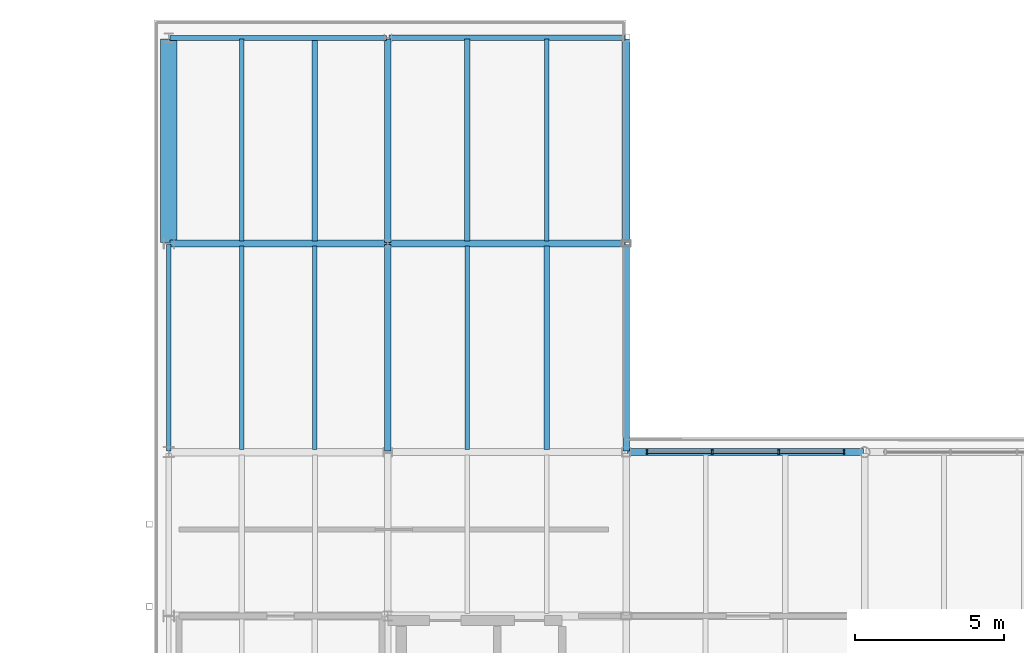
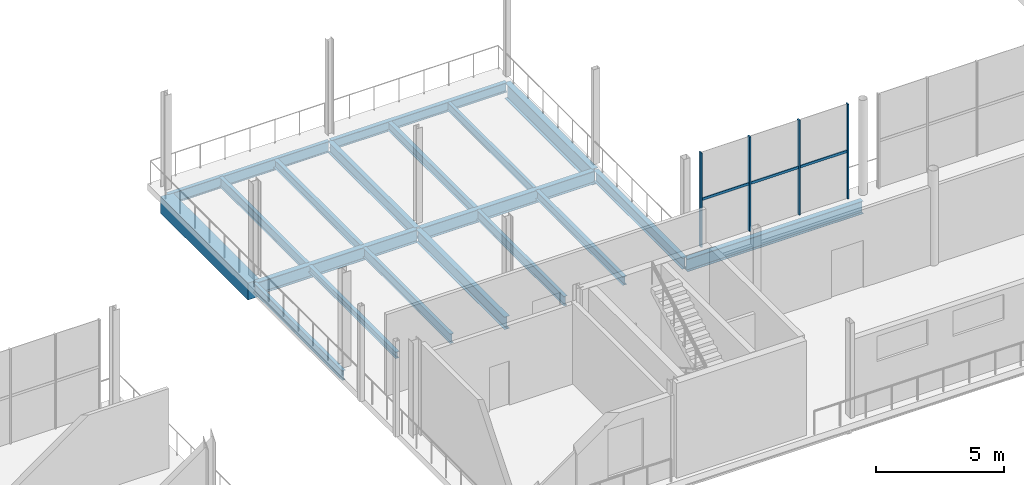
# One storey, part 53 of 93: 19 beams, 7 members, 1 element without a shape of its own.
"""IFC4 building model written with IfcOpenShell, lengths in metres."""

import ifcopenshell
import ifcopenshell.guid

model = None  # the IFC model being written
_history = None  # IfcOwnerHistory: only IFC2X3 demands one
_inside = {}  # id of a spatial element -> (the spatial element, [elements in it])
_under = {}  # id of a project, library or spatial element -> (it, [spatial elements below it])
_declared = {}  # id of a project -> (the project, [libraries it declares])
_typed = {}  # id of a type object -> (the type object, [elements of that type])
_made_of = {}  # id of a material, layer set ... -> (it, [elements and type objects made of it])


def new_model(schema):
    """Start an empty IFC model of exactly this schema.

    Asked for "IFC4X3", IfcOpenShell would pick the latest addendum, in which some entities
    have other attributes; the version numbers below select the first issue.
    IFC2X3 requires an IfcOwnerHistory on every rooted entity: one is made here for all.
    """
    global model, _history
    if schema == "IFC4X3":
        model = ifcopenshell.file(schema_version=(4, 3, 0, 0))
    else:
        model = ifcopenshell.file(schema=schema)
    _inside.clear()
    _under.clear()
    _declared.clear()
    _typed.clear()
    _made_of.clear()
    _history = None
    if model.schema == "IFC2X3":
        org = make("IfcOrganization", Name="unknown")
        user = make(
            "IfcPersonAndOrganization",
            ThePerson=make("IfcPerson", FamilyName="unknown"),
            TheOrganization=org,
        )
        app = make(
            "IfcApplication",
            ApplicationDeveloper=org,
            Version="unknown",
            ApplicationFullName="unknown",
            ApplicationIdentifier="unknown",
        )
        _history = make(
            "IfcOwnerHistory",
            OwningUser=user,
            OwningApplication=app,
            ChangeAction="ADDED",
            CreationDate=0,
        )
    return model


def make(cls, **values):
    """One entity of the class cls with the attributes given. An attribute that is None is left unset."""
    return model.create_entity(
        cls, **{name: value for name, value in values.items() if value is not None}
    )


def rooted(cls, **values):
    """An entity with a GlobalId (a new one), such as an element, a storey or a relation."""
    return make(cls, GlobalId=ifcopenshell.guid.new(), OwnerHistory=_history, **values)


def si_unit(unit_type, name, prefix=None):
    """IfcSIUnit, for example si_unit("LENGTHUNIT", "METRE", prefix="MILLI")."""
    return make("IfcSIUnit", UnitType=unit_type, Prefix=prefix, Name=name)


def assignment(units):
    """IfcUnitAssignment: the units of a project."""
    return None if units is None else make("IfcUnitAssignment", Units=units)


def point(xyz):
    """IfcCartesianPoint."""
    return None if xyz is None else make("IfcCartesianPoint", Coordinates=xyz)


def direction(xyz):
    """IfcDirection."""
    return None if xyz is None else make("IfcDirection", DirectionRatios=xyz)


def frame(location, z_axis=None, x_axis=None):
    """IfcAxis2Placement3D, a coordinate frame: its origin and axes. An axis left out is left unset."""
    return make(
        "IfcAxis2Placement3D",
        Location=point(location),
        Axis=direction(z_axis),
        RefDirection=direction(x_axis),
    )


def frame_2d(location, x_axis=None):
    """IfcAxis2Placement2D, a coordinate frame in the plane: its origin and x axis."""
    return make(
        "IfcAxis2Placement2D", Location=point(location), RefDirection=direction(x_axis)
    )


def origin():
    """The frame at (0, 0, 0) with its axes left unset."""
    return frame((0.0, 0.0, 0.0))


def origin_2d():
    """The frame at (0, 0) in the plane with its x axis left unset."""
    return frame_2d((0.0, 0.0))


def place(relative_to, where):
    """IfcLocalPlacement: puts the frame where relative to a parent placement (None: the world)."""
    return make(
        "IfcLocalPlacement", PlacementRelTo=relative_to, RelativePlacement=where
    )


def context(
    kind, dimensions, precision=None, world=None, true_north=None, identifier=None
):
    """IfcGeometricRepresentationContext, for example the 3D "Model" context."""
    return make(
        "IfcGeometricRepresentationContext",
        ContextIdentifier=identifier,
        ContextType=kind,
        CoordinateSpaceDimension=dimensions,
        Precision=precision,
        WorldCoordinateSystem=world,
        TrueNorth=true_north,
    )


def subcontext(parent, identifier, kind, view, scale=None):
    """IfcGeometricRepresentationSubContext, for example "Body" below "Model"."""
    return make(
        "IfcGeometricRepresentationSubContext",
        ContextIdentifier=identifier,
        ContextType=kind,
        ParentContext=parent,
        TargetScale=scale,
        TargetView=view,
    )


def project(units=None, contexts=None):
    """IfcProject with its units and contexts."""
    return rooted(
        "IfcProject",
        Name="project",
        RepresentationContexts=contexts,
        UnitsInContext=assignment(units),
    )


def spatial(cls, under=None, at=None, **own):
    """A site, building, storey or space (cls), placed at a placement, below another one or the project."""
    s = rooted(cls, ObjectPlacement=at, **own)
    if under is not None:
        _under.setdefault(under.id(), (under, []))[1].append(s)
    return s


def profile(cls, at=None, kind="AREA", **sizes):
    """A parametric profile (cls). Its sizes go by their IFC names, for example OverallWidth=200.0."""
    return make(cls, ProfileType=kind, Position=at, **sizes)


def rectangle(**sizes):
    """IfcRectangleProfileDef."""
    return profile("IfcRectangleProfileDef", **sizes)


def i_section(**sizes):
    """IfcIShapeProfileDef."""
    return profile("IfcIShapeProfileDef", **sizes)


def extrude(swept, where, along, depth):
    """IfcExtrudedAreaSolid: the profile swept, set in the frame where, extruded along a direction by depth."""
    return make(
        "IfcExtrudedAreaSolid",
        SweptArea=swept,
        Position=where,
        ExtrudedDirection=direction(along),
        Depth=depth,
    )


def shape(context_of_items, identifier, shape_type, items):
    """IfcShapeRepresentation: the items that make up one representation, for example the "Body"."""
    return make(
        "IfcShapeRepresentation",
        ContextOfItems=context_of_items,
        RepresentationIdentifier=identifier,
        RepresentationType=shape_type,
        Items=items,
    )


def material(Name=None, Category=None):
    """IfcMaterial."""
    return make("IfcMaterial", Name=Name, Category=Category)


def material_profile(
    of_material, cross_section, Name=None, Category=None, Priority=None
):
    """IfcMaterialProfile: a cross section and its material."""
    return make(
        "IfcMaterialProfile",
        Name=Name,
        Material=of_material,
        Profile=cross_section,
        Priority=Priority,
        Category=Category,
    )


def profile_set(profiles, Name=None, composite=None):
    """IfcMaterialProfileSet."""
    return make(
        "IfcMaterialProfileSet",
        Name=Name,
        MaterialProfiles=profiles,
        CompositeProfile=composite,
    )


def made_of(thing, what):
    """Note that an element or type object is made of a material, layer set ...; save() writes the relation."""
    if what is not None:
        _made_of.setdefault(what.id(), (what, []))[1].append(thing)
    return thing


def type_object(cls, material=None, **own):
    """A type object (cls), such as IfcWallType, which elements share."""
    return made_of(rooted(cls, **own), material)


def element(
    cls,
    number,
    at=None,
    inside=None,
    cuts=None,
    type_object=None,
    material=None,
    context=None,
    identifier="Body",
    shape_type=None,
    held_by="IfcProductDefinitionShape",
    body=None,
    shapes=None,
    **own,
):
    """One element of the class cls, such as IfcWall. Its Tag is "e" and its number.

    at: its placement. inside: the storey or other place that contains it. cuts: it is an
    opening in that element (IfcRelVoidsElement). A single representation is given by context,
    identifier, shape_type and body (its items); several are given by shapes. held_by: the class
    of the entity that holds the representations. save() writes the other relations.
    """
    e = rooted(cls, Tag="e%d" % number, ObjectPlacement=at, **own)
    if body is not None:
        shapes = [shape(context, identifier, shape_type, body)]
    if shapes is not None:
        e.Representation = make(held_by, Representations=shapes)
    if inside is not None:
        _inside.setdefault(inside.id(), (inside, []))[1].append(e)
    if cuts is not None:
        rooted(
            "IfcRelVoidsElement", RelatingBuildingElement=cuts, RelatedOpeningElement=e
        )
    if type_object is not None:
        _typed.setdefault(type_object.id(), (type_object, []))[1].append(e)
    return made_of(e, material)


def aggregate(whole, parts):
    """IfcRelAggregates: a whole, such as a stair, and the parts it consists of."""
    return rooted("IfcRelAggregates", RelatingObject=whole, RelatedObjects=parts)


def save(model, path):
    """Write the relations noted so far, then the file.

    IfcRelAggregates (storeys below a building ...), IfcRelContainedInSpatialStructure (elements
    in a storey), IfcRelDefinesByType, IfcRelAssociatesMaterial and IfcRelDeclares: one each for
    every whole, place, type object, material and project.
    """
    for whole, parts in _under.values():
        aggregate(whole, parts)
    for where, things in _inside.values():
        rooted(
            "IfcRelContainedInSpatialStructure",
            RelatedElements=things,
            RelatingStructure=where,
        )
    for kind, things in _typed.values():
        rooted("IfcRelDefinesByType", RelatedObjects=things, RelatingType=kind)
    for what, things in _made_of.values():
        rooted("IfcRelAssociatesMaterial", RelatedObjects=things, RelatingMaterial=what)
    for by, libraries in _declared.values():
        rooted("IfcRelDeclares", RelatingContext=by, RelatedDefinitions=libraries)
    model.write(path)


model = new_model("IFC4")

# Units and contexts
model_context = context("Model", 3, precision=1e-05, world=origin(), true_north=direction((0.0, 1.0)))
body_context = subcontext(model_context, "Body", "Model", "MODEL_VIEW")
ifc_project = project(units=[si_unit("LENGTHUNIT", "METRE"), si_unit("AREAUNIT", "SQUARE_METRE"), si_unit("VOLUMEUNIT", "CUBIC_METRE"), si_unit("PLANEANGLEUNIT", "RADIAN"), si_unit("MASSUNIT", "GRAM", prefix="KILO")], contexts=[model_context])

# Site, building, storey
site_placement = place(None, origin())
site = spatial("IfcSite", under=ifc_project, at=site_placement, CompositionType="ELEMENT")
building_placement = place(site_placement, origin())
building = spatial("IfcBuilding", under=site, at=building_placement, Name="Brisemont Oceanarium", CompositionType="ELEMENT")
storey_placement = place(building_placement, frame((0.0, 0.0, 5.39990234375)))
storey = spatial("IfcBuildingStorey", under=building, at=storey_placement, Name="L01", CompositionType="ELEMENT", Elevation=5.39990234375)

# Beams
ifc_material_1 = material(Name="Concrete C40/50", Category="concrete")
ifc_material_profile_1 = material_profile(ifc_material_1, rectangle(XDim=0.550048828125, YDim=0.800048828125, at=origin_2d()), Name="RC-BM-550X800")
ifc_profile_set_1 = profile_set([ifc_material_profile_1], Name="Concrete C40/50")
beam_type_1 = type_object("IfcBeamType", Name="BM-RC550X800", PredefinedType="SPANDREL", material=ifc_profile_set_1)
beam_1_placement = place(storey_placement, frame((112.64990234375, 100.5400390625, -0.699951171875), z_axis=(0.0, 1.0, 0.0), x_axis=(-1.0, 0.0, 0.0)))
element("IfcBeam", 1, at=beam_1_placement, inside=storey, type_object=beam_type_1, Name="V6 L01 NS girder", PredefinedType="SPANDREL", context=body_context, shape_type="SweptSolid", body=[
    extrude(rectangle(XDim=0.550048828125, YDim=0.800048828125, at=origin_2d()), origin(), (0.0, 0.0, 1.0), 6.820068359375),
])
ifc_material_2 = material(Name="Structural Steel ASTM A992 Gr.50", Category="steel")
ifc_material_profile_2 = material_profile(ifc_material_2, i_section(OverallWidth=0.1650390625, OverallDepth=0.31005859375, WebThickness=0.005859375, FlangeThickness=0.009765625, FilletRadius=0.008056640625, at=origin_2d()), Name="W12X26")
ifc_profile_set_2 = profile_set([ifc_material_profile_2], Name="Structural Steel ASTM A992 Gr.50")
beam_type_2 = type_object("IfcBeamType", Name="BM-W12X26", PredefinedType="JOIST", material=ifc_profile_set_2)
beam_2_placement = place(storey_placement, frame((115.10009765625, 93.590087890625, -0.454833984375), z_axis=(0.0, 1.0, 0.0), x_axis=(-1.0, 0.0, 0.0)))
element("IfcBeam", 2, at=beam_2_placement, inside=storey, type_object=beam_type_2, Name="V6 L01 secondary floor beam", PredefinedType="JOIST", context=body_context, shape_type="SweptSolid", body=[
    extrude(i_section(OverallWidth=0.1650390625, OverallDepth=0.31005859375, WebThickness=0.005859375, FlangeThickness=0.009765625, FilletRadius=0.008056640625, at=origin_2d()), origin(), (0.0, 0.0, 1.0), 6.81982421875),
])
ifc_material_3 = material(Name="Structural Steel ASTM A992 Gr.50", Category="steel")
ifc_material_profile_3 = material_profile(ifc_material_3, i_section(OverallWidth=0.139892578125, OverallDepth=0.39892578125, WebThickness=0.00634765625, FlangeThickness=0.0087890625, FilletRadius=0.010009765625, at=origin_2d()), Name="W16X26")
ifc_profile_set_3 = profile_set([ifc_material_profile_3], Name="Structural Steel ASTM A992 Gr.50")
beam_type_3 = type_object("IfcBeamType", Name="BM-W16X26", PredefinedType="JOIST", material=ifc_profile_set_3)
beam_3_placement = place(storey_placement, frame((125.333251953125, 100.590087890625, -0.49951171875), z_axis=(0.0, 1.0, 0.0), x_axis=(-1.0, 0.0, 0.0)))
element("IfcBeam", 3, at=beam_3_placement, inside=storey, type_object=beam_type_3, Name="V6 L01 secondary floor beam", PredefinedType="JOIST", context=body_context, shape_type="SweptSolid", body=[
    extrude(i_section(OverallWidth=0.139892578125, OverallDepth=0.39892578125, WebThickness=0.00634765625, FlangeThickness=0.0087890625, FilletRadius=0.010009765625, at=origin_2d()), origin(), (0.0, 0.0, 1.0), 6.77001953125),
])
ifc_material_4 = material(Name="Structural Steel ASTM A992 Gr.50", Category="steel")
ifc_material_profile_4 = material_profile(ifc_material_4, i_section(OverallWidth=0.177978515625, OverallDepth=0.404052734375, WebThickness=0.007568359375, FlangeThickness=0.010986328125, FilletRadius=0.010009765625, at=origin_2d()), Name="W16X36")
ifc_profile_set_4 = profile_set([ifc_material_profile_4], Name="Structural Steel ASTM A992 Gr.50")
beam_type_4 = type_object("IfcBeamType", Name="BM-W16X36", PredefinedType="JOIST", material=ifc_profile_set_4)
beam_4_placement = place(storey_placement, frame((117.550048828125, 100.590087890625, -0.501953125), z_axis=(0.0, 1.0, 0.0), x_axis=(-1.0, 0.0, 0.0)))
element("IfcBeam", 4, at=beam_4_placement, inside=storey, type_object=beam_type_4, Name="V6 L01 secondary floor beam", PredefinedType="JOIST", context=body_context, shape_type="SweptSolid", body=[
    extrude(i_section(OverallWidth=0.177978515625, OverallDepth=0.404052734375, WebThickness=0.007568359375, FlangeThickness=0.010986328125, FilletRadius=0.010009765625, at=origin_2d()), origin(), (0.0, 0.0, 1.0), 6.77001953125),
])
beam_5_placement = place(storey_placement, frame((125.333251953125, 93.590087890625, -0.501953125), z_axis=(0.0, 1.0, 0.0), x_axis=(-1.0, 0.0, 0.0)))
element("IfcBeam", 5, at=beam_5_placement, inside=storey, type_object=beam_type_4, Name="V6 L01 secondary floor beam", PredefinedType="JOIST", context=body_context, shape_type="SweptSolid", body=[
    extrude(i_section(OverallWidth=0.177978515625, OverallDepth=0.404052734375, WebThickness=0.007568359375, FlangeThickness=0.010986328125, FilletRadius=0.010009765625, at=origin_2d()), origin(), (0.0, 0.0, 1.0), 6.81982421875),
])
beam_6_placement = place(storey_placement, frame((122.666748046875, 100.590087890625, -0.501953125), z_axis=(0.0, 1.0, 0.0), x_axis=(-1.0, 0.0, 0.0)))
element("IfcBeam", 6, at=beam_6_placement, inside=storey, type_object=beam_type_4, Name="V6 L01 secondary floor beam", PredefinedType="JOIST", context=body_context, shape_type="SweptSolid", body=[
    extrude(i_section(OverallWidth=0.177978515625, OverallDepth=0.404052734375, WebThickness=0.007568359375, FlangeThickness=0.010986328125, FilletRadius=0.010009765625, at=origin_2d()), origin(), (0.0, 0.0, 1.0), 6.77001953125),
])
ifc_material_5 = material(Name="Structural Steel ASTM A992 Gr.50", Category="steel")
ifc_material_profile_5 = material_profile(ifc_material_5, i_section(OverallWidth=0.153076171875, OverallDepth=0.455078125, WebThickness=0.008056640625, FlangeThickness=0.01318359375, FilletRadius=0.010986328125, at=origin_2d()), Name="W18X40")
ifc_profile_set_5 = profile_set([ifc_material_profile_5], Name="Structural Steel ASTM A992 Gr.50")
beam_type_5 = type_object("IfcBeamType", Name="BM-W18X40", PredefinedType="JOIST", material=ifc_profile_set_5)
beam_7_placement = place(storey_placement, frame((117.550048828125, 93.590087890625, -0.52734375), z_axis=(0.0, 1.0, 0.0), x_axis=(-1.0, 0.0, 0.0)))
element("IfcBeam", 7, at=beam_7_placement, inside=storey, type_object=beam_type_5, Name="V6 L01 secondary floor beam", PredefinedType="JOIST", context=body_context, shape_type="SweptSolid", body=[
    extrude(i_section(OverallWidth=0.153076171875, OverallDepth=0.455078125, WebThickness=0.008056640625, FlangeThickness=0.01318359375, FilletRadius=0.010986328125, at=origin_2d()), origin(), (0.0, 0.0, 1.0), 6.81982421875),
])
beam_8_placement = place(storey_placement, frame((115.10009765625, 100.590087890625, -0.52734375), z_axis=(0.0, 1.0, 0.0), x_axis=(-1.0, 0.0, 0.0)))
element("IfcBeam", 8, at=beam_8_placement, inside=storey, type_object=beam_type_5, Name="V6 L01 secondary floor beam", PredefinedType="JOIST", context=body_context, shape_type="SweptSolid", body=[
    extrude(i_section(OverallWidth=0.153076171875, OverallDepth=0.455078125, WebThickness=0.008056640625, FlangeThickness=0.01318359375, FilletRadius=0.010986328125, at=origin_2d()), origin(), (0.0, 0.0, 1.0), 6.77001953125),
])
beam_9_placement = place(storey_placement, frame((122.666748046875, 93.590087890625, -0.52734375), z_axis=(0.0, 1.0, 0.0), x_axis=(-1.0, 0.0, 0.0)))
element("IfcBeam", 9, at=beam_9_placement, inside=storey, type_object=beam_type_5, Name="V6 L01 secondary floor beam", PredefinedType="JOIST", context=body_context, shape_type="SweptSolid", body=[
    extrude(i_section(OverallWidth=0.153076171875, OverallDepth=0.455078125, WebThickness=0.008056640625, FlangeThickness=0.01318359375, FilletRadius=0.010986328125, at=origin_2d()), origin(), (0.0, 0.0, 1.0), 6.81982421875),
])
ifc_material_6 = material(Name="Structural Steel ASTM A992 Gr.50", Category="steel")
ifc_material_profile_6 = material_profile(ifc_material_6, i_section(OverallWidth=0.154052734375, OverallDepth=0.458984375, WebThickness=0.009033203125, FlangeThickness=0.015380859375, FilletRadius=0.010986328125, at=origin_2d()), Name="W18X46")
ifc_profile_set_6 = profile_set([ifc_material_profile_6], Name="Structural Steel ASTM A992 Gr.50")
beam_type_6 = type_object("IfcBeamType", Name="BM-W18X46", PredefinedType="SPANDREL", material=ifc_profile_set_6)
beam_10_placement = place(storey_placement, frame((112.64990234375, 93.5400390625, -0.529296875), z_axis=(0.0, 1.0, 0.0), x_axis=(-1.0, 0.0, 0.0)))
element("IfcBeam", 10, at=beam_10_placement, inside=storey, type_object=beam_type_6, Name="V6 L01 NS girder", PredefinedType="SPANDREL", context=body_context, shape_type="SweptSolid", body=[
    extrude(i_section(OverallWidth=0.154052734375, OverallDepth=0.458984375, WebThickness=0.009033203125, FlangeThickness=0.015380859375, FilletRadius=0.010986328125, at=origin_2d()), origin(), (0.0, 0.0, 1.0), 6.919921875),
])
ifc_material_7 = material(Name="Structural Steel ASTM A992 Gr.50", Category="steel")
ifc_material_profile_7 = material_profile(ifc_material_7, i_section(OverallWidth=0.19091796875, OverallDepth=0.4599609375, WebThickness=0.010009765625, FlangeThickness=0.01611328125, FilletRadius=0.010986328125, at=origin_2d()), Name="W18X55")
ifc_profile_set_7 = profile_set([ifc_material_profile_7], Name="Structural Steel ASTM A992 Gr.50")
beam_type_7 = type_object("IfcBeamType", Name="BM-W18X55", PredefinedType="SPANDREL", material=ifc_profile_set_7)
beam_11_placement = place(storey_placement, frame((120.0400390625, 107.39990234375, -0.52978515625), z_axis=(1.0, 0.0, 0.0), x_axis=(0.0, 1.0, 0.0)))
element("IfcBeam", 11, at=beam_11_placement, inside=storey, type_object=beam_type_7, Name="V6 L01 EW girder", PredefinedType="SPANDREL", context=body_context, shape_type="SweptSolid", body=[
    extrude(i_section(OverallWidth=0.19091796875, OverallDepth=0.4599609375, WebThickness=0.010009765625, FlangeThickness=0.01611328125, FilletRadius=0.010986328125, at=origin_2d()), origin(), (0.0, 0.0, 1.0), 7.919921875),
])
ifc_material_8 = material(Name="Structural Steel ASTM A992 Gr.50", Category="steel")
ifc_material_profile_8 = material_profile(ifc_material_8, i_section(OverallWidth=0.166015625, OverallDepth=0.528076171875, WebThickness=0.009765625, FlangeThickness=0.013671875, FilletRadius=0.012939453125, at=origin_2d()), Name="W21X50")
ifc_profile_set_8 = profile_set([ifc_material_profile_8], Name="Structural Steel ASTM A992 Gr.50")
beam_type_8 = type_object("IfcBeamType", Name="BM-W21X50", PredefinedType="SPANDREL", material=ifc_profile_set_8)
beam_12_placement = place(storey_placement, frame((112.68994140625, 107.39990234375, -0.56396484375), z_axis=(1.0, 0.0, 0.0), x_axis=(0.0, 1.0, 0.0)))
element("IfcBeam", 12, at=beam_12_placement, inside=storey, type_object=beam_type_8, Name="V6 L01 EW girder", PredefinedType="SPANDREL", context=body_context, shape_type="SweptSolid", body=[
    extrude(i_section(OverallWidth=0.166015625, OverallDepth=0.528076171875, WebThickness=0.009765625, FlangeThickness=0.013671875, FilletRadius=0.012939453125, at=origin_2d()), origin(), (0.0, 0.0, 1.0), 7.27001953125),
])
ifc_material_9 = material(Name="Structural Steel ASTM A992 Gr.50", Category="steel")
ifc_material_profile_9 = material_profile(ifc_material_9, i_section(OverallWidth=0.2099609375, OverallDepth=0.532958984375, WebThickness=0.01025390625, FlangeThickness=0.015625, FilletRadius=0.012939453125, at=origin_2d()), Name="W21X62")
ifc_profile_set_9 = profile_set([ifc_material_profile_9], Name="Structural Steel ASTM A992 Gr.50")
beam_type_9 = type_object("IfcBeamType", Name="BM-W21X62", PredefinedType="BEAM", material=ifc_profile_set_9)
beam_13_placement = place(storey_placement, frame((120.0, 100.5400390625, -0.56640625), z_axis=(0.0, 1.0, 0.0), x_axis=(-1.0, 0.0, 0.0)))
element("IfcBeam", 13, at=beam_13_placement, inside=storey, type_object=beam_type_9, Name="V6 L01 NS girder", PredefinedType="BEAM", context=body_context, shape_type="SweptSolid", body=[
    extrude(i_section(OverallWidth=0.2099609375, OverallDepth=0.532958984375, WebThickness=0.01025390625, FlangeThickness=0.015625, FilletRadius=0.012939453125, at=origin_2d()), origin(), (0.0, 0.0, 1.0), 6.820068359375),
])
beam_14_placement = place(storey_placement, frame((128.0, 93.5400390625, -0.56640625), z_axis=(0.0, 1.0, 0.0), x_axis=(-1.0, 0.0, 0.0)))
element("IfcBeam", 14, at=beam_14_placement, inside=storey, type_object=beam_type_9, Name="V6 L01 NS girder", PredefinedType="BEAM", context=body_context, shape_type="SweptSolid", body=[
    extrude(i_section(OverallWidth=0.2099609375, OverallDepth=0.532958984375, WebThickness=0.01025390625, FlangeThickness=0.015625, FilletRadius=0.012939453125, at=origin_2d()), origin(), (0.0, 0.0, 1.0), 6.919921875),
])
ifc_material_10 = material(Name="Structural Steel ASTM A992 Gr.50", Category="steel")
ifc_material_profile_10 = material_profile(ifc_material_10, i_section(OverallWidth=0.22802734375, OverallDepth=0.60205078125, WebThickness=0.010498046875, FlangeThickness=0.014892578125, FilletRadius=0.012939453125, at=origin_2d()), Name="W24X68")
ifc_profile_set_10 = profile_set([ifc_material_profile_10], Name="Structural Steel ASTM A992 Gr.50")
beam_type_10 = type_object("IfcBeamType", Name="BM-W24X68", PredefinedType="BEAM", material=ifc_profile_set_10)
beam_15_placement = place(storey_placement, frame((120.0, 93.5400390625, -0.600830078125), z_axis=(0.0, 1.0, 0.0), x_axis=(-1.0, 0.0, 0.0)))
element("IfcBeam", 15, at=beam_15_placement, inside=storey, type_object=beam_type_10, Name="V6 L01 NS girder", PredefinedType="BEAM", context=body_context, shape_type="SweptSolid", body=[
    extrude(i_section(OverallWidth=0.22802734375, OverallDepth=0.60205078125, WebThickness=0.010498046875, FlangeThickness=0.014892578125, FilletRadius=0.012939453125, at=origin_2d()), origin(), (0.0, 0.0, 1.0), 6.919921875),
])
ifc_material_11 = material(Name="Structural Steel ASTM A992 Gr.50", Category="steel")
ifc_material_profile_11 = material_profile(ifc_material_11, i_section(OverallWidth=0.22802734375, OverallDepth=0.60791015625, WebThickness=0.01123046875, FlangeThickness=0.017333984375, FilletRadius=0.012939453125, at=origin_2d()), Name="W24X76")
ifc_profile_set_11 = profile_set([ifc_material_profile_11], Name="Structural Steel ASTM A992 Gr.50")
beam_type_11 = type_object("IfcBeamType", Name="BM-W24X76", PredefinedType="BEAM", material=ifc_profile_set_11)
for number, where, z_axis, x_axis, name in (
    (16, (128.0400390625, 93.5, -0.60400390625), (1.0, 0.0, 0.0), (0.0, 1.0, 0.0), "V6 L01 EW girder"),
    (17, (120.0400390625, 100.5, -0.60400390625), (1.0, 0.0, 0.0), (0.0, 1.0, 0.0), "V6 L01 EW girder"),
):
    element("IfcBeam", number, at=place(storey_placement, frame(where, z_axis=z_axis, x_axis=x_axis)), inside=storey, type_object=beam_type_11, Name=name, PredefinedType="BEAM", context=body_context, shape_type="SweptSolid", body=[
        extrude(i_section(OverallWidth=0.22802734375, OverallDepth=0.60791015625, WebThickness=0.01123046875, FlangeThickness=0.017333984375, FilletRadius=0.012939453125, at=origin_2d()), origin(), (0.0, 0.0, 1.0), 7.919921875),
    ])
ifc_material_12 = material(Name="Structural Steel ASTM A992 Gr.50", Category="steel")
ifc_material_profile_12 = material_profile(ifc_material_12, i_section(OverallWidth=0.22900390625, OverallDepth=0.612060546875, WebThickness=0.011962890625, FlangeThickness=0.01953125, FilletRadius=0.012939453125, at=origin_2d()), Name="W24X84")
ifc_profile_set_12 = profile_set([ifc_material_profile_12], Name="Structural Steel ASTM A992 Gr.50")
beam_type_12 = type_object("IfcBeamType", Name="BM-W24X84", PredefinedType="BEAM", material=ifc_profile_set_12)
beam_16_placement = place(storey_placement, frame((112.68994140625, 100.5, -0.60595703125), z_axis=(1.0, 0.0, 0.0), x_axis=(0.0, 1.0, 0.0)))
element("IfcBeam", 18, at=beam_16_placement, inside=storey, type_object=beam_type_12, Name="V6 L01 EW girder", PredefinedType="BEAM", context=body_context, shape_type="SweptSolid", body=[
    extrude(i_section(OverallWidth=0.22900390625, OverallDepth=0.612060546875, WebThickness=0.011962890625, FlangeThickness=0.01953125, FilletRadius=0.012939453125, at=origin_2d()), origin(), (0.0, 0.0, 1.0), 7.27001953125),
])
ifc_material_13 = material(Name="Structural Steel ASTM A992 Gr.50", Category="steel")
ifc_material_profile_13 = material_profile(ifc_material_13, i_section(OverallWidth=0.26708984375, OverallDepth=0.761962890625, WebThickness=0.014404296875, FlangeThickness=0.021484375, FilletRadius=0.01611328125, at=origin_2d()), Name="W30X116")
ifc_profile_set_13 = profile_set([ifc_material_profile_13], Name="Structural Steel ASTM A992 Gr.50")
beam_type_13 = type_object("IfcBeamType", Name="BM-W30X116", PredefinedType="BEAM", material=ifc_profile_set_13)
beam_17_placement = place(storey_placement, frame((128.0, 100.5400390625, -0.680908203125), z_axis=(0.0, 1.0, 0.0), x_axis=(-1.0, 0.0, 0.0)))
element("IfcBeam", 19, at=beam_17_placement, inside=storey, type_object=beam_type_13, Name="V6 L01 NS girder", PredefinedType="BEAM", context=body_context, shape_type="SweptSolid", body=[
    extrude(i_section(OverallWidth=0.26708984375, OverallDepth=0.761962890625, WebThickness=0.014404296875, FlangeThickness=0.021484375, FilletRadius=0.01611328125, at=origin_2d()), origin(), (0.0, 0.0, 1.0), 6.820068359375),
])

# Curtain wall, members
ifc_material_14 = material(Name="Anodized Extruded Aluminum 6063-T6", Category="aluminium")
curtain_wall_type = type_object("IfcCurtainWallType", Name="CW-RES-61X43", PredefinedType="NOTDEFINED", material=ifc_material_14)
curtain_wall_placement = place(storey_placement, origin())
curtain_wall = element("IfcCurtainWall", 20, at=curtain_wall_placement, inside=storey, type_object=curtain_wall_type, Name="CW-17 curtain wall CW-V6-CL-L01-01", PredefinedType="NOTDEFINED")
ifc_material_15 = material(Name="Anodized Extruded Aluminum 6063-T6", Category="aluminium")
ifc_material_profile_14 = material_profile(ifc_material_15, rectangle(XDim=0.06005859375, YDim=0.14990234375, at=origin_2d()), Name="CWM-60X150")
ifc_profile_set_14 = profile_set([ifc_material_profile_14], Name="Anodized Extruded Aluminum 6063-T6")
member_type_1 = type_object("IfcMemberType", Name="MEM-CWM-60", PredefinedType="MULLION", material=ifc_profile_set_14)
member_1_placement = place(storey_placement, frame((128.695068359375, 93.5, 0.0), z_axis=(0.0, 0.0, 1.0), x_axis=(1.0, 0.0, 0.0)))
member_1 = element("IfcMember", 21, at=member_1_placement, type_object=member_type_1, Name="CW-V6-CL-L01-01 mullion 1", PredefinedType="MULLION", context=body_context, shape_type="SweptSolid", body=[
    extrude(rectangle(XDim=0.06005859375, YDim=0.14990234375, at=origin_2d()), origin(), (0.0, 0.0, 1.0), 4.5),
])
member_2_placement = place(storey_placement, frame((130.88330078125, 93.5, 0.0), z_axis=(0.0, 0.0, 1.0), x_axis=(1.0, 0.0, 0.0)))
member_2 = element("IfcMember", 22, at=member_2_placement, type_object=member_type_1, Name="CW-V6-CL-L01-01 mullion 2", PredefinedType="MULLION", context=body_context, shape_type="SweptSolid", body=[
    extrude(rectangle(XDim=0.06005859375, YDim=0.14990234375, at=origin_2d()), origin(), (0.0, 0.0, 1.0), 4.5),
])
member_3_placement = place(storey_placement, frame((133.11669921875, 93.5, 0.0), z_axis=(0.0, 0.0, 1.0), x_axis=(1.0, 0.0, 0.0)))
member_3 = element("IfcMember", 23, at=member_3_placement, type_object=member_type_1, Name="CW-V6-CL-L01-01 mullion 3", PredefinedType="MULLION", context=body_context, shape_type="SweptSolid", body=[
    extrude(rectangle(XDim=0.06005859375, YDim=0.14990234375, at=origin_2d()), origin(), (0.0, 0.0, 1.0), 4.5),
])
member_4_placement = place(storey_placement, frame((135.304931640625, 93.5, 0.0), z_axis=(0.0, 0.0, 1.0), x_axis=(1.0, 0.0, 0.0)))
member_4 = element("IfcMember", 24, at=member_4_placement, type_object=member_type_1, Name="CW-V6-CL-L01-01 mullion 4", PredefinedType="MULLION", context=body_context, shape_type="SweptSolid", body=[
    extrude(rectangle(XDim=0.06005859375, YDim=0.14990234375, at=origin_2d()), origin(), (0.0, 0.0, 1.0), 4.5),
])
ifc_material_16 = material(Name="Anodized Extruded Aluminum 6063-T6", Category="aluminium")
ifc_material_profile_15 = material_profile(ifc_material_16, rectangle(XDim=0.06005859375, YDim=0.1201171875, at=origin_2d()), Name="CWT-60X120")
ifc_profile_set_15 = profile_set([ifc_material_profile_15], Name="Anodized Extruded Aluminum 6063-T6")
member_type_2 = type_object("IfcMemberType", Name="MEM-CWT-60", PredefinedType="USERDEFINED", material=ifc_profile_set_15)
member_5_placement = place(storey_placement, frame((128.6650390625, 93.5, 2.25), z_axis=(1.0, 0.0, 0.0), x_axis=(0.0, 1.0, 0.0)))
member_5 = element("IfcMember", 25, at=member_5_placement, type_object=member_type_2, Name="CW-V6-CL-L01-01 transom 1.1", ObjectType="TRANSOM", PredefinedType="USERDEFINED", context=body_context, shape_type="SweptSolid", body=[
    extrude(rectangle(XDim=0.06005859375, YDim=0.1201171875, at=origin_2d()), origin(), (0.0, 0.0, 1.0), 2.203369140625),
])
member_6_placement = place(storey_placement, frame((130.898193359375, 93.5, 2.25), z_axis=(1.0, 0.0, 0.0), x_axis=(0.0, 1.0, 0.0)))
member_6 = element("IfcMember", 26, at=member_6_placement, type_object=member_type_2, Name="CW-V6-CL-L01-01 transom 2.1", ObjectType="TRANSOM", PredefinedType="USERDEFINED", context=body_context, shape_type="SweptSolid", body=[
    extrude(rectangle(XDim=0.06005859375, YDim=0.1201171875, at=origin_2d()), origin(), (0.0, 0.0, 1.0), 2.20361328125),
])
member_7_placement = place(storey_placement, frame((133.131591796875, 93.5, 2.25), z_axis=(1.0, 0.0, 0.0), x_axis=(0.0, 1.0, 0.0)))
member_7 = element("IfcMember", 27, at=member_7_placement, type_object=member_type_2, Name="CW-V6-CL-L01-01 transom 3.1", ObjectType="TRANSOM", PredefinedType="USERDEFINED", context=body_context, shape_type="SweptSolid", body=[
    extrude(rectangle(XDim=0.06005859375, YDim=0.1201171875, at=origin_2d()), origin(), (0.0, 0.0, 1.0), 2.203369140625),
])
aggregate(curtain_wall, [member_1, member_2, member_3, member_4, member_5, member_6, member_7])

save(model, "model.ifc")
